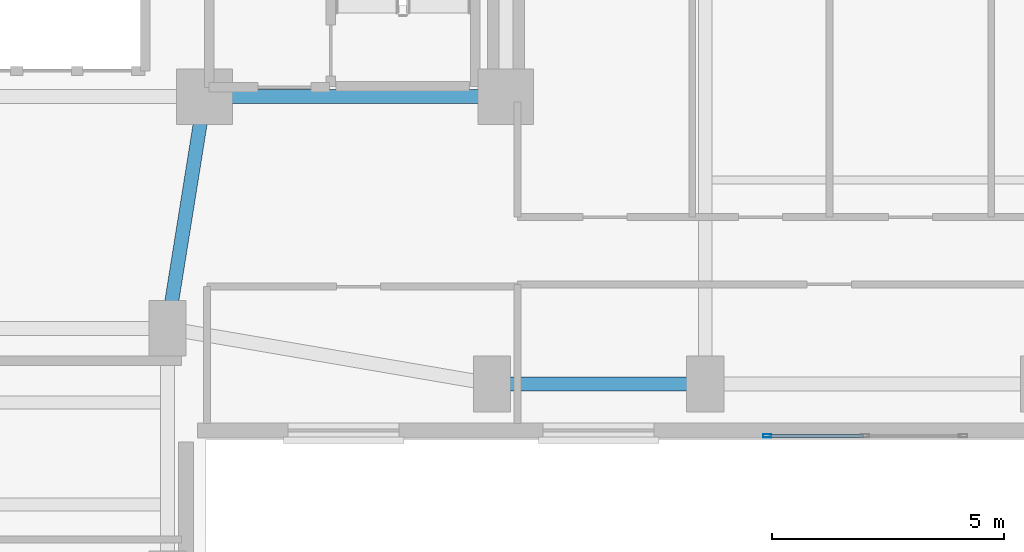
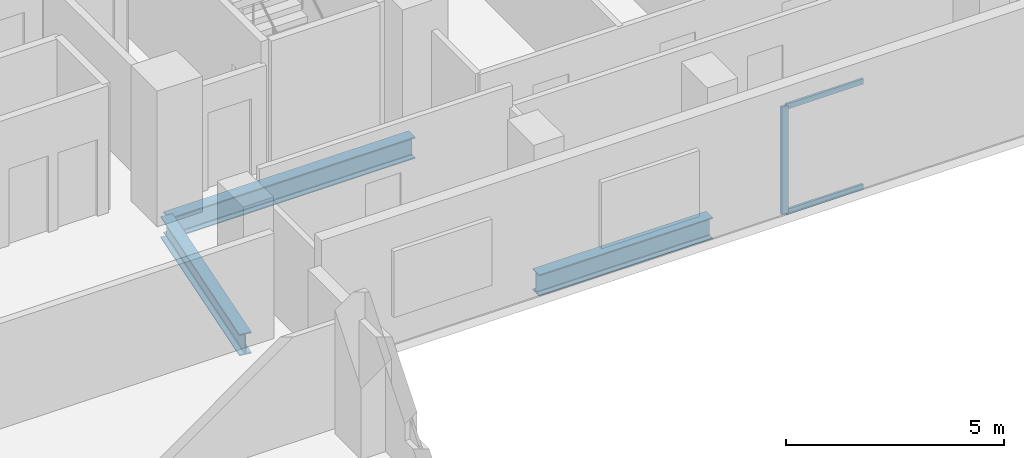
# One storey, part 4 of 16: 3 beams, 3 members, 1 element without a shape of its own.
"""IFC4 building model written with IfcOpenShell, lengths in metres."""

from ifc_helpers import new_model, si_unit, direction, frame, origin, origin_2d, place, context, subcontext, project, spatial, hollow_rectangle, i_section, extrude, material, material_profile, profile_set, type_object, element, aggregate, save


model = new_model("IFC4")

# Units and contexts
model_context = context("Model", 3, precision=1e-05, world=origin(), true_north=direction((0.0, 1.0)))
body_context = subcontext(model_context, "Body", "Model", "MODEL_VIEW")
ifc_project = project(units=[si_unit("LENGTHUNIT", "METRE"), si_unit("AREAUNIT", "SQUARE_METRE"), si_unit("VOLUMEUNIT", "CUBIC_METRE"), si_unit("PLANEANGLEUNIT", "RADIAN"), si_unit("MASSUNIT", "GRAM", prefix="KILO")], contexts=[model_context])

# Site, building, storey
site_placement = place(None, origin())
site = spatial("IfcSite", under=ifc_project, at=site_placement, CompositionType="ELEMENT")
building_placement = place(site_placement, origin())
building = spatial("IfcBuilding", under=site, at=building_placement, Name="Kuzgunbayir Cultural Tower", CompositionType="ELEMENT")
storey_placement = place(building_placement, frame((0.0, 0.0, 75.60009765625)))
storey = spatial("IfcBuildingStorey", under=building, at=storey_placement, Name="L21", CompositionType="ELEMENT", Elevation=75.60009765625)

# Beams
ifc_material_1 = material(Name="Steel S355J2", Category="steel")
ifc_material_profile_1 = material_profile(ifc_material_1, i_section(OverallWidth=0.300048828125, OverallDepth=0.60009765625, WebThickness=0.015380859375, FlangeThickness=0.030029296875, FilletRadius=0.027099609375, at=origin_2d()), Name="HEB 600")
ifc_profile_set_1 = profile_set([ifc_material_profile_1], Name="Steel S355J2")
beam_type_1 = type_object("IfcBeamType", Name="BM-EXT-HEB600", PredefinedType="BEAM", material=ifc_profile_set_1)
beam_1_placement = place(storey_placement, frame((26.60009765625, 27.60009765625, -0.5400390625), z_axis=(1.0, 0.0, 0.0), x_axis=(0.0, 1.0, 0.0)))
element("IfcBeam", 1, at=beam_1_placement, inside=storey, type_object=beam_type_1, Name="L21 Wing B South Girder 1", PredefinedType="BEAM", context=body_context, shape_type="SweptSolid", body=[
    extrude(i_section(OverallWidth=0.300048828125, OverallDepth=0.60009765625, WebThickness=0.015380859375, FlangeThickness=0.030029296875, FilletRadius=0.027099609375, at=origin_2d()), origin(), (0.0, 0.0, 1.0), 4.599853515625),
])
ifc_material_profile_2 = material_profile(ifc_material_1, i_section(OverallWidth=0.300048828125, OverallDepth=0.60009765625, WebThickness=0.015380859375, FlangeThickness=0.030029296875, FilletRadius=0.027099609375, at=origin_2d()), Name="HEB 600")
ifc_profile_set_2 = profile_set([ifc_material_profile_2], Name="Steel S355J2")
beam_type_2 = type_object("IfcBeamType", Name="BM-GIR-HEB600", PredefinedType="BEAM", material=ifc_profile_set_2)
beam_2_placement = place(storey_placement, frame((20.39990234375, 33.800048828125, -0.5400390625), z_axis=(1.0, 0.0, 0.0), x_axis=(0.0, 1.0, 0.0)))
element("IfcBeam", 2, at=beam_2_placement, inside=storey, type_object=beam_type_2, Name="L21 Core South Girder 3", PredefinedType="BEAM", context=body_context, shape_type="SweptSolid", body=[
    extrude(i_section(OverallWidth=0.300048828125, OverallDepth=0.60009765625, WebThickness=0.015380859375, FlangeThickness=0.030029296875, FilletRadius=0.027099609375, at=origin_2d()), origin(), (0.0, 0.0, 1.0), 6.5),
])
beam_3_placement = place(storey_placement, frame((19.60009765625, 28.800048828125, -0.5400390625), z_axis=(0.157952891656, 0.987446648694, 0.0), x_axis=(-0.987446648694, 0.157952891656, 0.0)))
element("IfcBeam", 3, at=beam_3_placement, inside=storey, type_object=beam_type_2, Name="L21 Wing A East Core Floor Girder", PredefinedType="BEAM", context=body_context, shape_type="SweptSolid", body=[
    extrude(i_section(OverallWidth=0.300048828125, OverallDepth=0.60009765625, WebThickness=0.015380859375, FlangeThickness=0.030029296875, FilletRadius=0.027099609375, at=origin_2d()), origin(), (0.0, 0.0, 1.0), 5.0634765625),
])

# Curtain wall, members
ifc_material_2 = material(Name="Anodised Aluminium Framing", Category="aluminium")
curtain_wall_type = type_object("IfcCurtainWallType", Name="CW03-T1-OFFICE", PredefinedType="NOTDEFINED", material=ifc_material_2)
curtain_wall_placement = place(storey_placement, origin())
curtain_wall = element("IfcCurtainWall", 4, at=curtain_wall_placement, inside=storey, type_object=curtain_wall_type, Name="L21 Wing B South Feature Curtain Wall", PredefinedType="NOTDEFINED")
ifc_material_profile_3 = material_profile(ifc_material_2, hollow_rectangle(XDim=0.074951171875, YDim=0.179931640625, WallThickness=0.0048828125, at=origin_2d()), Name="RHS 180x75x5")
ifc_profile_set_3 = profile_set([ifc_material_profile_3], Name="Anodised Aluminium Framing")
member_type_1 = type_object("IfcMemberType", Name="MEM-CW-MULLION-180", PredefinedType="MULLION", material=ifc_profile_set_3)
member_1_placement = place(storey_placement, frame((32.53759765625, 26.47998046875, 0.0), z_axis=(0.0, 0.0, 1.0), x_axis=(0.0, 1.0, 0.0)))
member_1 = element("IfcMember", 5, at=member_1_placement, type_object=member_type_1, Name="CW03 mullion 1", PredefinedType="MULLION", context=body_context, shape_type="SweptSolid", body=[
    extrude(hollow_rectangle(XDim=0.074951171875, YDim=0.179931640625, WallThickness=0.0048828125, at=origin_2d()), origin(), (0.0, 0.0, 1.0), 3.010009765625),
])
ifc_material_profile_4 = material_profile(ifc_material_2, hollow_rectangle(XDim=0.06005859375, YDim=0.14990234375, WallThickness=0.00390625, at=origin_2d()), Name="RHS 150x60x4")
ifc_profile_set_4 = profile_set([ifc_material_profile_4], Name="Anodised Aluminium Framing")
member_type_2 = type_object("IfcMemberType", Name="MEM-CW-TRANSOM-150", PredefinedType="USERDEFINED", material=ifc_profile_set_4)
member_2_placement = place(storey_placement, frame((32.574951171875, 26.47998046875, 0.02978515625), z_axis=(1.0, 0.0, 0.0), x_axis=(0.0, 1.0, 0.0)))
member_2 = element("IfcMember", 6, at=member_2_placement, type_object=member_type_2, Name="CW03 transom 1.1", ObjectType="TRANSOM", PredefinedType="USERDEFINED", context=body_context, shape_type="SweptSolid", body=[
    extrude(hollow_rectangle(XDim=0.06005859375, YDim=0.14990234375, WallThickness=0.00390625, at=origin_2d()), origin(), (0.0, 0.0, 1.0), 2.03759765625),
])
member_3_placement = place(storey_placement, frame((32.574951171875, 26.47998046875, 2.97998046875), z_axis=(1.0, 0.0, 0.0), x_axis=(0.0, 1.0, 0.0)))
member_3 = element("IfcMember", 7, at=member_3_placement, type_object=member_type_2, Name="CW03 transom 1.2", ObjectType="TRANSOM", PredefinedType="USERDEFINED", context=body_context, shape_type="SweptSolid", body=[
    extrude(hollow_rectangle(XDim=0.06005859375, YDim=0.14990234375, WallThickness=0.00390625, at=origin_2d()), origin(), (0.0, 0.0, 1.0), 2.03759765625),
])
aggregate(curtain_wall, [member_1, member_2, member_3])

save(model, "model.ifc")
